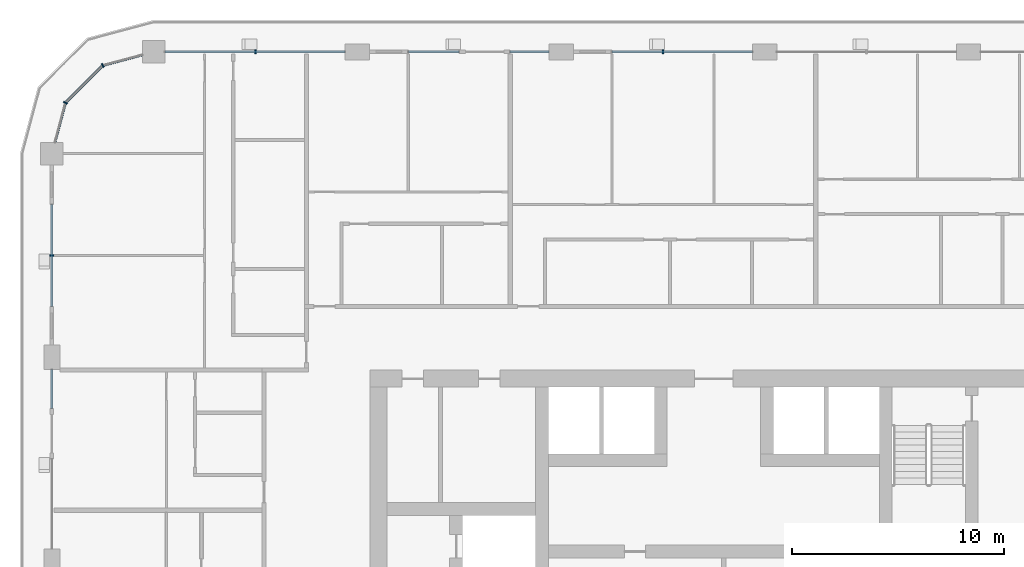
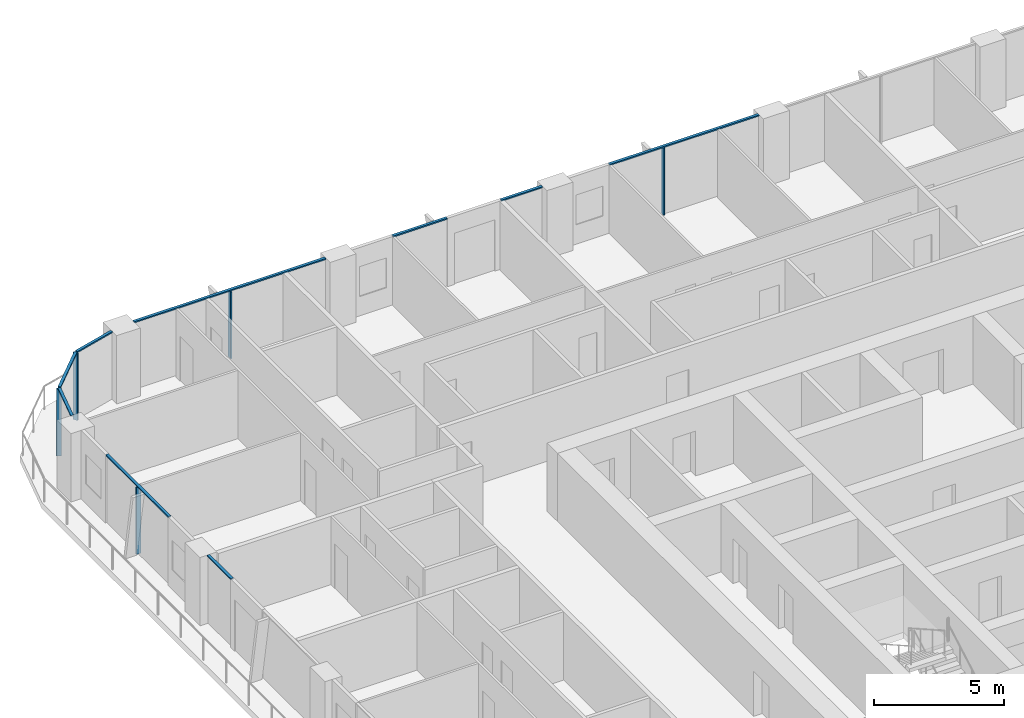
# One storey, part 5 of 22: 14 members, 6 elements without a shape of their own.
"""IFC4 building model written with IfcOpenShell, lengths in metres."""

from ifc_helpers import new_model, si_unit, direction, frame, origin, origin_2d, place, context, subcontext, project, spatial, rectangle, extrude, material, layer, layer_set, material_profile, profile_set, type_object, element, aggregate, save


model = new_model("IFC4")

# Units and contexts
model_context = context("Model", 3, precision=1e-05, world=origin(), true_north=direction((0.0, 1.0)))
body_context = subcontext(model_context, "Body", "Model", "MODEL_VIEW")
ifc_project = project(units=[si_unit("LENGTHUNIT", "METRE"), si_unit("AREAUNIT", "SQUARE_METRE"), si_unit("VOLUMEUNIT", "CUBIC_METRE"), si_unit("PLANEANGLEUNIT", "RADIAN"), si_unit("MASSUNIT", "GRAM", prefix="KILO")], contexts=[model_context])

# Site, building, storey
site_placement = place(None, origin())
site = spatial("IfcSite", under=ifc_project, at=site_placement, CompositionType="ELEMENT")
building_placement = place(site_placement, origin())
building = spatial("IfcBuilding", under=site, at=building_placement, Name="Madar Terraces", CompositionType="ELEMENT")
storey_placement = place(building_placement, frame((0.0, 0.0, 129.60009765625)))
storey = spatial("IfcBuildingStorey", under=building, at=storey_placement, Name="L33", CompositionType="ELEMENT", Elevation=129.60009765625)

# Curtain wall, member
ifc_material_1 = material(Name="Glass, ceramic frit dark grey, with black aluminium frame", Category="aluminium")
ifc_layer = layer(ifc_material_1, 0.199951171875)
ifc_layer_set = layer_set([ifc_layer], Name="Facade curtain wall, fritted glass")
curtain_wall_type = type_object("IfcCurtainWallType", Name="Facade curtain wall, fritted glass", PredefinedType="NOTDEFINED", material=ifc_layer_set)
curtain_wall_1_placement = place(storey_placement, origin())
curtain_wall_1 = element("IfcCurtainWall", 1, at=curtain_wall_1_placement, inside=storey, type_object=curtain_wall_type, Name="Outer skin curtain wall north bay 3", PredefinedType="NOTDEFINED")
ifc_material_2 = material(Name="Aluminium, black anodised", Category="aluminium")
ifc_material_profile_1 = material_profile(ifc_material_2, rectangle(XDim=0.199951171875, YDim=0.06005859375, at=origin_2d()), Name="Facade mullion 60x200")
ifc_profile_set_1 = profile_set([ifc_material_profile_1], Name="Aluminium, black anodised")
member_type_1 = type_object("IfcMemberType", Name="Facade mullion 60x200", PredefinedType="MULLION", material=ifc_profile_set_1)
member_1_placement = place(storey_placement, frame((28.800048828125, 52.800048828125, 0.0), z_axis=(0.0, 0.0, 1.0), x_axis=(0.0, -1.0, 0.0)))
member_1 = element("IfcMember", 2, at=member_1_placement, type_object=member_type_1, Name="Mullion 1", PredefinedType="MULLION", context=body_context, shape_type="SweptSolid", body=[
    extrude(rectangle(XDim=0.199951171875, YDim=0.06005859375, at=origin_2d()), origin(), (0.0, 0.0, 1.0), 3.139892578125),
])

curtain_wall_2_placement = place(storey_placement, origin())
curtain_wall_2 = element("IfcCurtainWall", 3, at=curtain_wall_2_placement, inside=storey, type_object=curtain_wall_type, Name="Outer skin curtain wall north bay 5", PredefinedType="NOTDEFINED")
member_2_placement = place(storey_placement, frame((9.60009765625, 52.800048828125, 0.0), z_axis=(0.0, 0.0, 1.0), x_axis=(0.0, -1.0, 0.0)))
member_2 = element("IfcMember", 4, at=member_2_placement, type_object=member_type_1, Name="Mullion 1", PredefinedType="MULLION", context=body_context, shape_type="SweptSolid", body=[
    extrude(rectangle(XDim=0.199951171875, YDim=0.06005859375, at=origin_2d()), origin(), (0.0, 0.0, 1.0), 3.139892578125),
])

curtain_wall_3_placement = place(storey_placement, origin())
curtain_wall_3 = element("IfcCurtainWall", 5, at=curtain_wall_3_placement, inside=storey, type_object=curtain_wall_type, Name="Outer skin curtain wall west bay 1", PredefinedType="NOTDEFINED")
member_3_placement = place(storey_placement, frame((0.0, 43.199951171875, 0.0), z_axis=(0.0, 0.0, 1.0), x_axis=(1.0, 0.0, 0.0)))
member_3 = element("IfcMember", 6, at=member_3_placement, type_object=member_type_1, Name="Mullion 1", PredefinedType="MULLION", context=body_context, shape_type="SweptSolid", body=[
    extrude(rectangle(XDim=0.199951171875, YDim=0.06005859375, at=origin_2d()), origin(), (0.0, 0.0, 1.0), 3.139892578125),
])

# Curtain wall, members
curtain_wall_4_placement = place(storey_placement, origin())
curtain_wall_4 = element("IfcCurtainWall", 7, at=curtain_wall_4_placement, inside=storey, type_object=curtain_wall_type, Name="Outer skin curtain wall north-west corner", PredefinedType="NOTDEFINED")
member_4_placement = place(storey_placement, frame((2.39990234375, 52.156982421875, 0.0), z_axis=(0.0, 0.0, 1.0), x_axis=(0.499999989586, -0.866025409797, 0.0)))
member_4 = element("IfcMember", 8, at=member_4_placement, type_object=member_type_1, Name="Mullion 1", PredefinedType="MULLION", context=body_context, shape_type="SweptSolid", body=[
    extrude(rectangle(XDim=0.199951171875, YDim=0.06005859375, at=origin_2d()), origin(), (0.0, 0.0, 1.0), 3.139892578125),
])
member_5_placement = place(storey_placement, frame((0.64306640625, 50.39990234375, 0.0), z_axis=(0.0, 0.0, 1.0), x_axis=(0.866025409797, -0.499999989586, 0.0)))
member_5 = element("IfcMember", 9, at=member_5_placement, type_object=member_type_1, Name="Mullion 2", PredefinedType="MULLION", context=body_context, shape_type="SweptSolid", body=[
    extrude(rectangle(XDim=0.199951171875, YDim=0.06005859375, at=origin_2d()), origin(), (0.0, 0.0, 1.0), 3.139892578125),
])

# Member
ifc_material_3 = material(Name="Aluminium, black anodised", Category="aluminium")
ifc_material_profile_2 = material_profile(ifc_material_3, rectangle(XDim=0.1201171875, YDim=0.06005859375, at=origin_2d()), Name="Facade transom 60x120")
ifc_profile_set_2 = profile_set([ifc_material_profile_2], Name="Aluminium, black anodised")
member_type_2 = type_object("IfcMemberType", Name="Facade transom 60x120", PredefinedType="USERDEFINED", material=ifc_profile_set_2)
member_6_placement = place(storey_placement, frame((33.02490234375, 52.800048828125, 3.169921875), z_axis=(-1.0, 0.0, 0.0), x_axis=(0.0, -1.0, 0.0)))
member_6 = element("IfcMember", 10, at=member_6_placement, type_object=member_type_2, Name="Transom 1", ObjectType="TRANSOM", PredefinedType="USERDEFINED", context=body_context, shape_type="SweptSolid", body=[
    extrude(rectangle(XDim=0.1201171875, YDim=0.06005859375, at=origin_2d()), origin(), (0.0, 0.0, 1.0), 6.625),
])

aggregate(curtain_wall_1, [member_1, member_6])

# Curtain wall, members
curtain_wall_5_placement = place(storey_placement, origin())
curtain_wall_5 = element("IfcCurtainWall", 11, at=curtain_wall_5_placement, inside=storey, type_object=curtain_wall_type, Name="Outer skin curtain wall north bay 4", PredefinedType="NOTDEFINED")
member_7_placement = place(storey_placement, frame((23.425048828125, 52.800048828125, 3.169921875), z_axis=(-1.0, 0.0, 0.0), x_axis=(0.0, -1.0, 0.0)))
member_7 = element("IfcMember", 12, at=member_7_placement, type_object=member_type_2, Name="Transom 1", ObjectType="TRANSOM", PredefinedType="USERDEFINED", context=body_context, shape_type="SweptSolid", body=[
    extrude(rectangle(XDim=0.1201171875, YDim=0.06005859375, at=origin_2d()), origin(), (0.0, 0.0, 1.0), 1.824951171875),
])
member_8_placement = place(storey_placement, frame((19.199951171875, 52.800048828125, 3.169921875), z_axis=(-1.0, 0.0, 0.0), x_axis=(0.0, -1.0, 0.0)))
member_8 = element("IfcMember", 13, at=member_8_placement, type_object=member_type_2, Name="Transom 2", ObjectType="TRANSOM", PredefinedType="USERDEFINED", context=body_context, shape_type="SweptSolid", body=[
    extrude(rectangle(XDim=0.1201171875, YDim=0.06005859375, at=origin_2d()), origin(), (0.0, 0.0, 1.0), 2.39990234375),
])
aggregate(curtain_wall_5, [member_7, member_8])

# Member
member_9_placement = place(storey_placement, frame((13.824951171875, 52.800048828125, 3.169921875), z_axis=(-1.0, 0.0, 0.0), x_axis=(0.0, -1.0, 0.0)))
member_9 = element("IfcMember", 14, at=member_9_placement, type_object=member_type_2, Name="Transom 1", ObjectType="TRANSOM", PredefinedType="USERDEFINED", context=body_context, shape_type="SweptSolid", body=[
    extrude(rectangle(XDim=0.1201171875, YDim=0.06005859375, at=origin_2d()), origin(), (0.0, 0.0, 1.0), 8.5),
])

aggregate(curtain_wall_2, [member_2, member_9])

member_10_placement = place(storey_placement, frame((0.0, 45.60009765625, 3.169921875), z_axis=(0.0, -1.0, 0.0), x_axis=(1.0, 0.0, 0.0)))
member_10 = element("IfcMember", 15, at=member_10_placement, type_object=member_type_2, Name="Transom 1", ObjectType="TRANSOM", PredefinedType="USERDEFINED", context=body_context, shape_type="SweptSolid", body=[
    extrude(rectangle(XDim=0.1201171875, YDim=0.06005859375, at=origin_2d()), origin(), (0.0, 0.0, 1.0), 4.800048828125),
])

aggregate(curtain_wall_3, [member_3, member_10])

# Curtain wall, member
curtain_wall_6_placement = place(storey_placement, origin())
curtain_wall_6 = element("IfcCurtainWall", 16, at=curtain_wall_6_placement, inside=storey, type_object=curtain_wall_type, Name="Outer skin curtain wall west bay 2", PredefinedType="NOTDEFINED")
member_11_placement = place(storey_placement, frame((0.0, 37.824951171875, 3.169921875), z_axis=(0.0, -1.0, 0.0), x_axis=(1.0, 0.0, 0.0)))
member_11 = element("IfcMember", 17, at=member_11_placement, type_object=member_type_2, Name="Transom 1", ObjectType="TRANSOM", PredefinedType="USERDEFINED", context=body_context, shape_type="SweptSolid", body=[
    extrude(rectangle(XDim=0.1201171875, YDim=0.06005859375, at=origin_2d()), origin(), (0.0, 0.0, 1.0), 1.824951171875),
])
aggregate(curtain_wall_6, [member_11])

# Member
member_12_placement = place(storey_placement, frame((4.27490234375, 52.659423828125, 3.169921875), z_axis=(-0.965924671538, -0.258823354654, 0.0), x_axis=(0.258823354654, -0.965924671538, 0.0)))
member_12 = element("IfcMember", 18, at=member_12_placement, type_object=member_type_2, Name="Transom 1", ObjectType="TRANSOM", PredefinedType="USERDEFINED", context=body_context, shape_type="SweptSolid", body=[
    extrude(rectangle(XDim=0.1201171875, YDim=0.06005859375, at=origin_2d()), origin(), (0.0, 0.0, 1.0), 1.9111328125),
])

member_13_placement = place(storey_placement, frame((2.37890625, 52.1357421875, 3.169921875), z_axis=(-0.707106781187, -0.707106781187, 0.0), x_axis=(0.707106781187, -0.707106781187, 0.0)))
member_13 = element("IfcMember", 19, at=member_13_placement, type_object=member_type_2, Name="Transom 2", ObjectType="TRANSOM", PredefinedType="USERDEFINED", context=body_context, shape_type="SweptSolid", body=[
    extrude(rectangle(XDim=0.1201171875, YDim=0.06005859375, at=origin_2d()), origin(), (0.0, 0.0, 1.0), 2.4248046875),
])

member_14_placement = place(storey_placement, frame((0.63525390625, 50.37109375, 3.169921875), z_axis=(-0.25879142023, -0.965933227928, 0.0), x_axis=(0.965933227928, -0.25879142023, 0.0)))
member_14 = element("IfcMember", 20, at=member_14_placement, type_object=member_type_2, Name="Transom 3", ObjectType="TRANSOM", PredefinedType="USERDEFINED", context=body_context, shape_type="SweptSolid", body=[
    extrude(rectangle(XDim=0.1201171875, YDim=0.06005859375, at=origin_2d()), origin(), (0.0, 0.0, 1.0), 1.911376953125),
])

aggregate(curtain_wall_4, [member_4, member_12, member_5, member_13, member_14])

save(model, "model.ifc")
